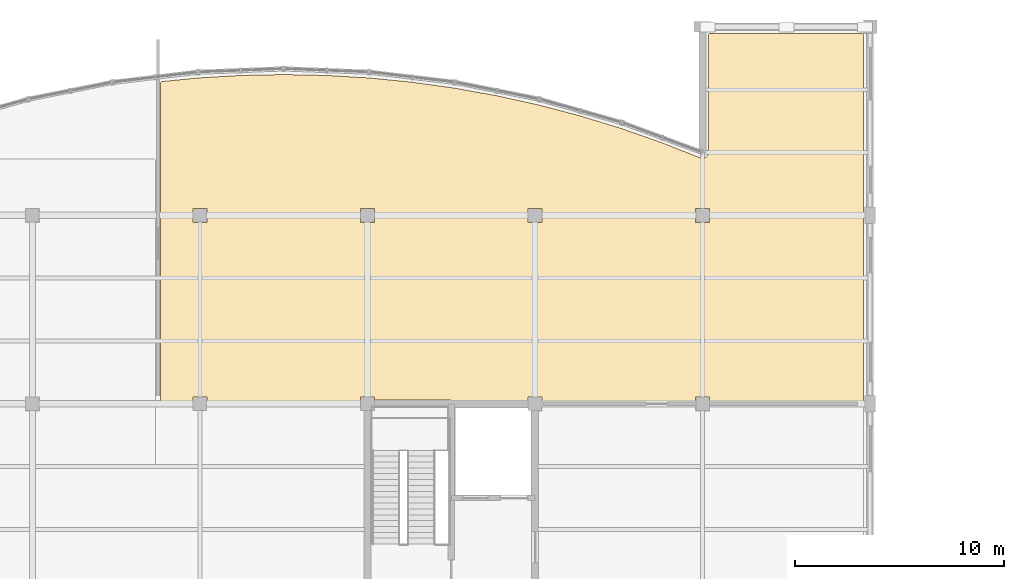
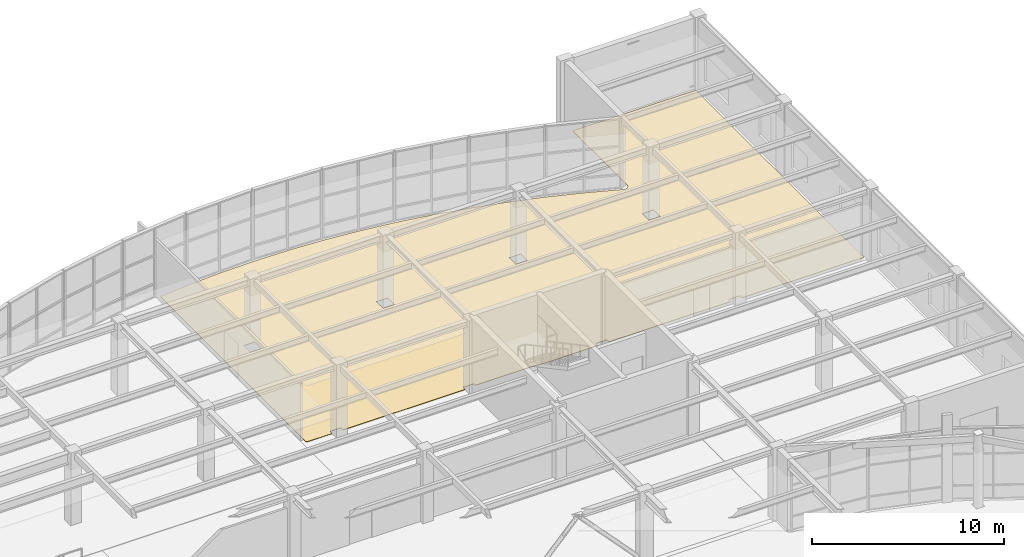
# One storey, part 61 of 63: 1 covering.
"""IFC4 building model written with IfcOpenShell, lengths in metres."""

from ifc_helpers import new_model, si_unit, direction, frame, origin, place, context, subcontext, project, spatial, polyline, outline, extrude, material, layer, layer_set, type_object, element, save


model = new_model("IFC4")

# Units and contexts
model_context = context("Model", 3, precision=1e-05, world=origin(), true_north=direction((0.0, 1.0)))
body_context = subcontext(model_context, "Body", "Model", "MODEL_VIEW")
ifc_project = project(units=[si_unit("LENGTHUNIT", "METRE"), si_unit("AREAUNIT", "SQUARE_METRE"), si_unit("VOLUMEUNIT", "CUBIC_METRE"), si_unit("PLANEANGLEUNIT", "RADIAN"), si_unit("MASSUNIT", "GRAM", prefix="KILO")], contexts=[model_context])

# Site, building, storey
site_placement = place(None, origin())
site = spatial("IfcSite", under=ifc_project, at=site_placement, CompositionType="ELEMENT")
building_placement = place(site_placement, origin())
building = spatial("IfcBuilding", under=site, at=building_placement, Name="Keelwater Ferry Terminal", CompositionType="ELEMENT")
storey_placement = place(building_placement, frame((0.0, 0.0, 10.199951171875)))
storey = spatial("IfcBuildingStorey", under=building, at=storey_placement, Name="L02", CompositionType="ELEMENT", Elevation=10.199951171875)

# Covering
ifc_material = material(Name="Polished mineral terrazzo tile", Category="stone")
ifc_layer = layer(ifc_material, 0.030029296875)
ifc_layer_set = layer_set([ifc_layer], Name="Polished mineral terrazzo tile")
covering_type = type_object("IfcCoveringType", Name="FL-TZ Marine Terrazzo Flooring", PredefinedType="FLOORING", material=ifc_layer_set)
covering_placement = place(storey_placement, origin())
element("IfcCovering", 1, at=covering_placement, inside=storey, type_object=covering_type, Name="Harbour Bistro Terrazzo Floor", PredefinedType="FLOORING", context=body_context, shape_type="SweptSolid", body=[
    extrude(outline(polyline([(149.95703125, 123.678955078125), (149.9599609375, 123.678955078125), (151.47509765625, 123.708984375), (152.0, 123.719970703125), (152.52490234375, 123.708984375), (154.0400390625, 123.678955078125), (154.04296875, 123.678955078125), (156.0791015625, 123.55908203125), (156.08203125, 123.55908203125), (158.10888671875, 123.35791015625), (158.112060546875, 123.35693359375), (160.132080078125, 123.075927734375), (160.135009765625, 123.075927734375), (162.10888671875, 122.720947265625), (162.14208984375, 122.716064453125), (162.14404296875, 122.715087890625), (162.263916015625, 122.68896484375), (164.136962890625, 122.27587890625), (166.112060546875, 121.758056640625), (168.06494140625, 121.162109375), (168.804931640625, 120.904052734375), (169.990966796875, 120.489990234375), (169.993896484375, 120.488037109375), (171.89208984375, 119.741943359375), (171.89208984375, 119.740966796875), (171.89697265625, 119.739013671875), (171.923095703125, 119.73095703125), (171.949951171875, 119.72509765625), (171.97705078125, 119.720947265625), (172.00390625, 119.719970703125), (172.031005859375, 119.721923828125), (172.05810546875, 119.72607421875), (172.083984375, 119.73291015625), (172.110107421875, 119.741943359375), (172.134033203125, 119.75390625), (172.156005859375, 119.76806640625), (172.157958984375, 119.76904296875), (172.158935546875, 119.77001953125), (172.178955078125, 119.784912109375), (172.198974609375, 119.802978515625), (172.218017578125, 119.823974609375), (172.23388671875, 119.845947265625), (172.248046875, 119.868896484375), (172.259033203125, 119.89404296875), (172.26806640625, 119.9189453125), (172.27490234375, 119.946044921875), (172.279052734375, 119.972900390625), (172.280029296875, 120.0), (172.280029296875, 125.60009765625), (172.280029296875, 125.60009765625), (172.280029296875, 125.60791015625), (172.281982421875, 125.615966796875), (172.282958984375, 125.623046875), (172.285888671875, 125.631103515625), (172.2890625, 125.637939453125), (172.29296875, 125.64404296875), (172.298095703125, 125.65087890625), (172.302978515625, 125.656982421875), (172.30908203125, 125.662109375), (172.31591796875, 125.6669921875), (172.322021484375, 125.6708984375), (172.3291015625, 125.674072265625), (172.3369140625, 125.677001953125), (172.343994140625, 125.677978515625), (172.35205078125, 125.679931640625), (172.360107421875, 125.679931640625), (179.60009765625, 125.679931640625), (179.60791015625, 125.679931640625), (179.615966796875, 125.677978515625), (179.623046875, 125.677001953125), (179.631103515625, 125.674072265625), (179.637939453125, 125.6708984375), (179.64404296875, 125.6669921875), (179.65087890625, 125.662109375), (179.656982421875, 125.656982421875), (179.662109375, 125.65087890625), (179.6669921875, 125.64404296875), (179.6708984375, 125.637939453125), (179.674072265625, 125.631103515625), (179.677001953125, 125.623046875), (179.677978515625, 125.615966796875), (179.679931640625, 125.60791015625), (179.679931640625, 125.60009765625), (179.679931640625, 108.199951171875), (179.679931640625, 108.19189453125), (179.677978515625, 108.18408203125), (179.677001953125, 108.177001953125), (179.674072265625, 108.1689453125), (179.6708984375, 108.162109375), (179.6669921875, 108.156005859375), (179.662109375, 108.14892578125), (179.656982421875, 108.14306640625), (179.65087890625, 108.137939453125), (179.64404296875, 108.133056640625), (179.637939453125, 108.12890625), (179.631103515625, 108.1259765625), (179.623046875, 108.123046875), (179.615966796875, 108.1220703125), (179.60791015625, 108.1201171875), (179.60009765625, 108.1201171875), (172.344970703125, 108.1201171875), (172.3369140625, 108.1201171875), (172.3349609375, 108.12109375), (172.3349609375, 108.3349609375), (171.6650390625, 108.3349609375), (171.6650390625, 108.12109375), (171.6630859375, 108.1201171875), (171.655029296875, 108.1201171875), (164.344970703125, 108.1201171875), (164.3369140625, 108.1201171875), (164.3349609375, 108.12109375), (164.3349609375, 108.3349609375), (163.6650390625, 108.3349609375), (163.6650390625, 108.12109375), (163.6630859375, 108.1201171875), (163.655029296875, 108.1201171875), (160.072998046875, 108.1201171875), (160.055908203125, 108.133056640625), (160.031982421875, 108.14697265625), (160.007080078125, 108.158935546875), (159.98095703125, 108.16796875), (159.955078125, 108.175048828125), (159.927001953125, 108.178955078125), (159.89990234375, 108.179931640625), (156.3349609375, 108.179931640625), (156.3349609375, 108.3349609375), (155.6650390625, 108.3349609375), (155.6650390625, 108.12109375), (155.6630859375, 108.1201171875), (155.655029296875, 108.1201171875), (148.344970703125, 108.1201171875), (148.3369140625, 108.1201171875), (148.3349609375, 108.12109375), (148.3349609375, 108.3349609375), (147.6650390625, 108.3349609375), (147.6650390625, 108.12109375), (147.6630859375, 108.1201171875), (147.655029296875, 108.1201171875), (146.199951171875, 108.1201171875), (146.19189453125, 108.1201171875), (146.18408203125, 108.1220703125), (146.177001953125, 108.123046875), (146.1689453125, 108.1259765625), (146.162109375, 108.12890625), (146.156005859375, 108.133056640625), (146.14892578125, 108.137939453125), (146.14306640625, 108.14306640625), (146.137939453125, 108.14892578125), (146.133056640625, 108.156005859375), (146.12890625, 108.162109375), (146.1259765625, 108.1689453125), (146.123046875, 108.177001953125), (146.1220703125, 108.18408203125), (146.1201171875, 108.19189453125), (146.1201171875, 108.199951171875), (146.1201171875, 123.30810546875), (146.1201171875, 123.31591796875), (146.1220703125, 123.323974609375), (146.123046875, 123.3310546875), (146.1259765625, 123.339111328125), (146.12890625, 123.345947265625), (146.133056640625, 123.35205078125), (146.137939453125, 123.35888671875), (146.14306640625, 123.364990234375), (146.14892578125, 123.3701171875), (146.156005859375, 123.375), (146.162109375, 123.37890625), (146.1689453125, 123.382080078125), (146.177001953125, 123.385009765625), (146.18408203125, 123.385986328125), (146.19189453125, 123.387939453125), (147.91796875, 123.55908203125), (147.9208984375, 123.55908203125), (149.95703125, 123.678955078125)]), holes=[polyline([(155.6650390625, 117.3349609375), (155.6650390625, 116.6650390625), (156.3349609375, 116.6650390625), (156.3349609375, 117.3349609375), (155.6650390625, 117.3349609375)]), polyline([(147.6650390625, 117.3349609375), (147.6650390625, 116.6650390625), (148.3349609375, 116.6650390625), (148.3349609375, 117.3349609375), (147.6650390625, 117.3349609375)]), polyline([(171.6650390625, 117.3349609375), (171.6650390625, 116.6650390625), (172.3349609375, 116.6650390625), (172.3349609375, 117.3349609375), (171.6650390625, 117.3349609375)]), polyline([(163.6650390625, 117.3349609375), (163.6650390625, 116.6650390625), (164.3349609375, 116.6650390625), (164.3349609375, 117.3349609375), (163.6650390625, 117.3349609375)])]), origin(), (0.0, 0.0, 1.0), 0.030029296875),
])

save(model, "model.ifc")
